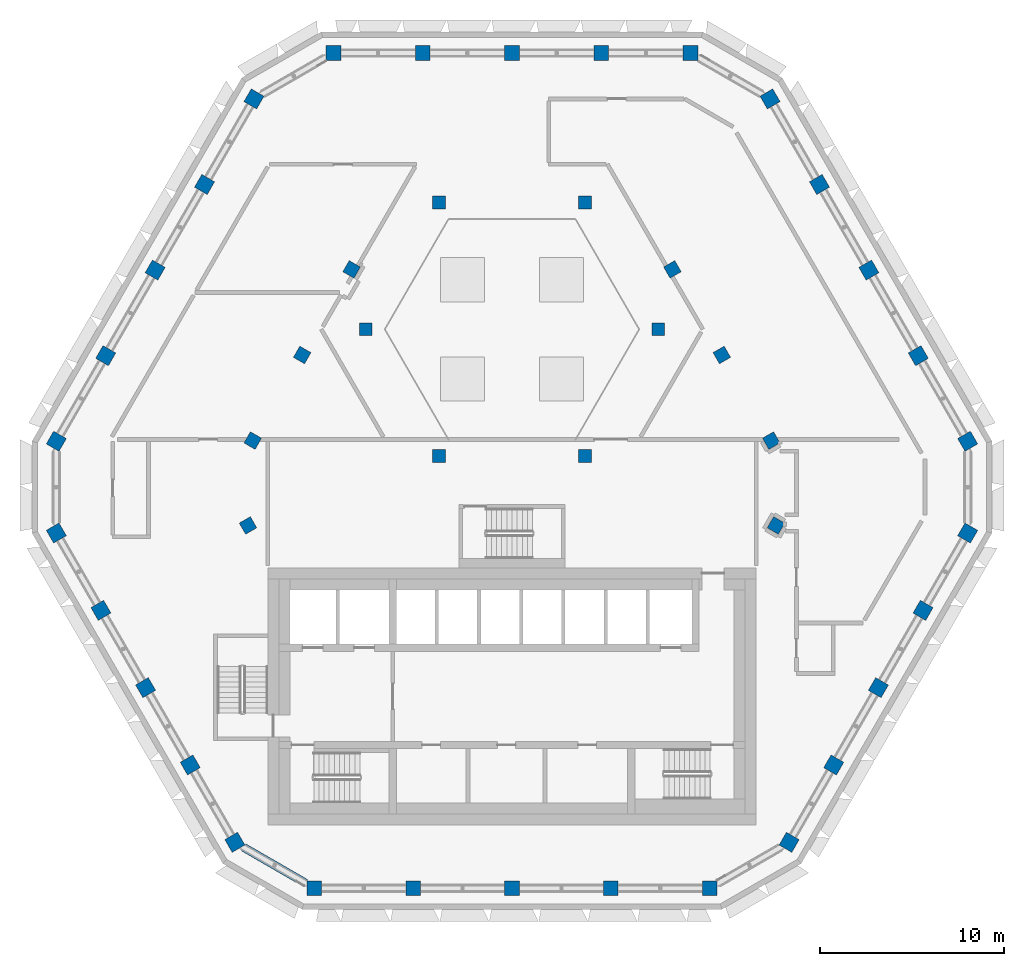
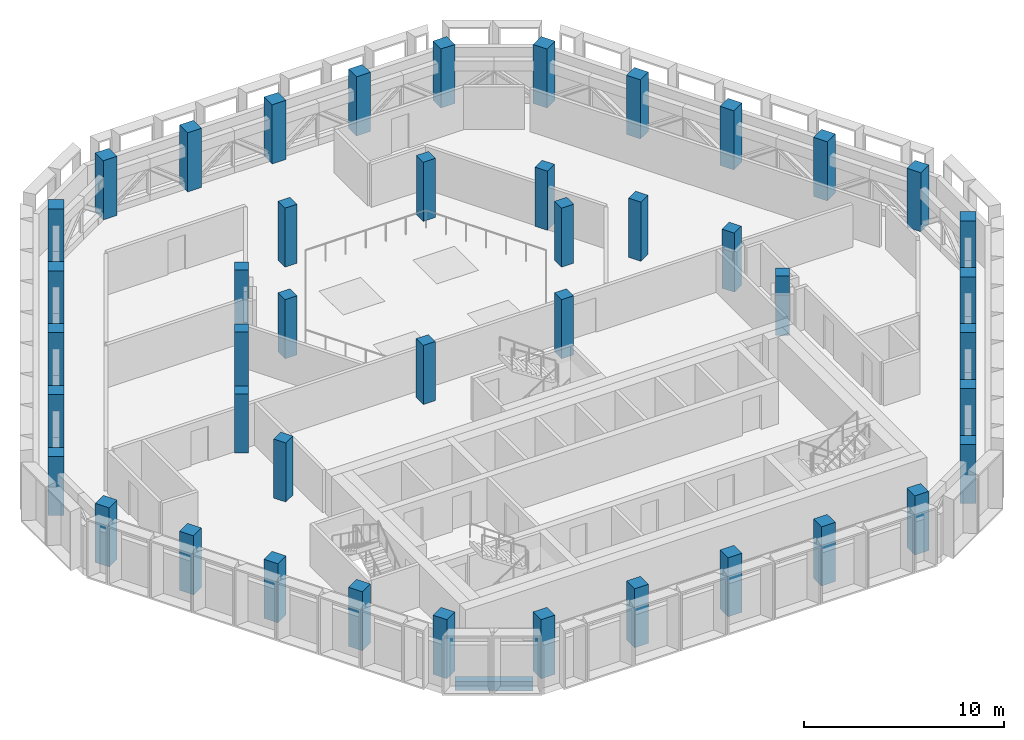
# One storey, part 1 of 24: 44 columns, 1 beam.
"""IFC4 building model written with IfcOpenShell, lengths in metres."""

from ifc_helpers import new_model, si_unit, direction, frame, origin, origin_2d, place, context, subcontext, project, spatial, rectangle, extrude, material, material_profile, profile_set, type_object, element, save


model = new_model("IFC4")

# Units and contexts
model_context = context("Model", 3, precision=1e-05, world=origin(), true_north=direction((0.0, 1.0)))
body_context = subcontext(model_context, "Body", "Model", "MODEL_VIEW")
ifc_project = project(units=[si_unit("LENGTHUNIT", "METRE"), si_unit("AREAUNIT", "SQUARE_METRE"), si_unit("VOLUMEUNIT", "CUBIC_METRE"), si_unit("PLANEANGLEUNIT", "RADIAN"), si_unit("MASSUNIT", "GRAM", prefix="KILO")], contexts=[model_context])

# Site, building, storey
site_placement = place(None, origin())
site = spatial("IfcSite", under=ifc_project, at=site_placement, CompositionType="ELEMENT")
building_placement = place(site_placement, origin())
building = spatial("IfcBuilding", under=site, at=building_placement, Name="Beryl Residences", CompositionType="ELEMENT")
storey_placement = place(building_placement, frame((0.0, 0.0, 199.199951171875)))
storey = spatial("IfcBuildingStorey", under=building, at=storey_placement, Name="L61", CompositionType="ELEMENT", Elevation=199.199951171875)

# Columns
ifc_material_1 = material(Name="Concrete C50/60", Category="concrete")
ifc_material_profile_1 = material_profile(ifc_material_1, rectangle(XDim=0.800048828125, YDim=0.800048828125, at=origin_2d()))
ifc_profile_set_1 = profile_set([ifc_material_profile_1], Name="Concrete C50/60")
column_type_1 = type_object("IfcColumnType", Name="C4 tube column 800 x 800 C50/60", PredefinedType="COLUMN", material=ifc_profile_set_1)
for number, where, z_axis, x_axis, name in (
    (1, (9.72802734375, 23.050048828125, 0.0), (0.0, 0.0, 1.0), (-1.0, 0.0, 0.0), "C4-N1 L61"),
    (2, (4.864013671875, 23.050048828125, 0.0), (0.0, 0.0, 1.0), (-1.0, 0.0, 0.0), "C4-N2 L61"),
    (3, (0.0, 23.050048828125, 0.0), (0.0, 0.0, 1.0), (-1.0, 0.0, 0.0), "C4-N3 L61"),
    (4, (-4.864013671875, 23.050048828125, 0.0), (0.0, 0.0, 1.0), (-1.0, 0.0, 0.0), "C4-N4 L61"),
    (5, (-9.72802734375, 23.050048828125, 0.0), (0.0, 0.0, 1.0), (-1.0, 0.0, 0.0), "C4-N5 L61"),
    (6, (-14.05810546875, 20.550048828125, 0.0), (0.0, 0.0, 1.0), (-0.5, -0.866025403784, 0.0), "C4-NW1 L61"),
    (7, (-16.75, 15.887939453125, 0.0), (0.0, 0.0, 1.0), (-0.5, -0.866025403784, 0.0), "C4-NW2 L61"),
    (8, (-19.44189453125, 11.22509765625, 0.0), (0.0, 0.0, 1.0), (-0.5, -0.866025403784, 0.0), "C4-NW3 L61"),
    (9, (-22.134033203125, 6.56201171875, 0.0), (0.0, 0.0, 1.0), (-0.5, -0.866025403784, 0.0), "C4-NW4 L61"),
    (10, (-24.825927734375, 1.89990234375, 0.0), (0.0, 0.0, 1.0), (-0.5, -0.866025403784, 0.0), "C4-NW5 L61"),
    (11, (-24.825927734375, -3.09912109375, 0.0), (0.0, 0.0, 1.0), (0.5, -0.866025403784, 0.0), "C4-SW1 L61"),
    (12, (-22.39404296875, -7.31201171875, 0.0), (0.0, 0.0, 1.0), (0.5, -0.866025403784, 0.0), "C4-SW2 L61"),
    (13, (-19.9619140625, -11.52392578125, 0.0), (0.0, 0.0, 1.0), (0.5, -0.866025403784, 0.0), "C4-SW3 L61"),
    (14, (-17.530029296875, -15.736083984375, 0.0), (0.0, 0.0, 1.0), (0.5, -0.866025403784, 0.0), "C4-SW4 L61"),
    (15, (-15.097900390625, -19.948974609375, 0.0), (0.0, 0.0, 1.0), (0.5, -0.866025403784, 0.0), "C4-SW5 L61"),
    (16, (-10.76708984375, -22.449951171875, 0.0), (0.0, 0.0, 1.0), (1.0, 0.0, 0.0), "C4-S1 L61"),
    (17, (-5.383056640625, -22.449951171875, 0.0), (0.0, 0.0, 1.0), (1.0, 0.0, 0.0), "C4-S2 L61"),
    (18, (0.0009765625, -22.449951171875, 0.0), (0.0, 0.0, 1.0), (1.0, 0.0, 0.0), "C4-S3 L61"),
    (19, (5.385009765625, -22.449951171875, 0.0), (0.0, 0.0, 1.0), (1.0, 0.0, 0.0), "C4-S4 L61"),
    (20, (10.76904296875, -22.449951171875, 0.0), (0.0, 0.0, 1.0), (1.0, 0.0, 0.0), "C4-S5 L61"),
    (21, (15.096923828125, -19.950927734375, 0.0), (0.0, 0.0, 1.0), (0.5, 0.866025403784, 0.0), "C4-SE1 L61"),
    (22, (17.529052734375, -15.738037109375, 0.0), (0.0, 0.0, 1.0), (0.5, 0.866025403784, 0.0), "C4-SE2 L61"),
    (23, (19.9609375, -11.52587890625, 0.0), (0.0, 0.0, 1.0), (0.5, 0.866025403784, 0.0), "C4-SE3 L61"),
    (24, (22.39306640625, -7.31396484375, 0.0), (0.0, 0.0, 1.0), (0.5, 0.866025403784, 0.0), "C4-SE4 L61"),
    (25, (24.824951171875, -3.10107421875, 0.0), (0.0, 0.0, 1.0), (0.5, 0.866025403784, 0.0), "C4-SE5 L61"),
    (26, (24.825927734375, 1.89990234375, 0.0), (0.0, 0.0, 1.0), (-0.5, 0.866025403784, 0.0), "C4-NE1 L61"),
    (27, (22.134033203125, 6.56201171875, 0.0), (0.0, 0.0, 1.0), (-0.5, 0.866025403784, 0.0), "C4-NE2 L61"),
    (28, (19.44189453125, 11.22509765625, 0.0), (0.0, 0.0, 1.0), (-0.5, 0.866025403784, 0.0), "C4-NE3 L61"),
    (29, (16.75, 15.887939453125, 0.0), (0.0, 0.0, 1.0), (-0.5, 0.866025403784, 0.0), "C4-NE4 L61"),
    (30, (14.05810546875, 20.550048828125, 0.0), (0.0, 0.0, 1.0), (-0.5, 0.866025403784, 0.0), "C4-NE5 L61"),
):
    element("IfcColumn", number, at=place(storey_placement, frame(where, z_axis=z_axis, x_axis=x_axis)), inside=storey, type_object=column_type_1, Name=name, PredefinedType="COLUMN", context=body_context, shape_type="SweptSolid", body=[
        extrude(rectangle(XDim=0.800048828125, YDim=0.800048828125, at=origin_2d()), origin(), (0.0, 0.0, 1.0), 3.60009765625),
    ])
ifc_material_2 = material(Name="Concrete C50/60", Category="concrete")
ifc_material_profile_2 = material_profile(ifc_material_2, rectangle(XDim=0.699951171875, YDim=0.699951171875, at=origin_2d()))
ifc_profile_set_2 = profile_set([ifc_material_profile_2], Name="Concrete C50/60")
column_type_2 = type_object("IfcColumnType", Name="IC4 interior column 700 x 700 C50/60", PredefinedType="COLUMN", material=ifc_profile_set_2)
for number, where, z_axis, x_axis, name in (
    (31, (-14.383056640625, -2.68701171875, 0.0), (0.0, 0.0, 1.0), (0.5, -0.866025403784, 0.0), "IC4-M01 L61"),
    (32, (14.382080078125, -2.68896484375, 0.0), (0.0, 0.0, 1.0), (0.5, 0.866025403784, 0.0), "IC4-M02 L61"),
    (33, (14.123046875, 1.93701171875, 0.0), (0.0, 0.0, 1.0), (-0.5, 0.866025403784, 0.0), "IC4-M03 L61"),
    (34, (3.98388671875, 1.10009765625, 0.0), (0.0, 0.0, 1.0), (1.0, 0.0, 0.0), "IC4-A04 L61"),
    (35, (11.430908203125, 6.60009765625, 0.0), (0.0, 0.0, 1.0), (-0.5, 0.866025403784, 0.0), "IC4-M05 L61"),
    (36, (7.967041015625, 8.0, 0.0), (0.0, 0.0, 1.0), (1.0, 0.0, 0.0), "IC4-A06 L61"),
    (37, (8.739013671875, 11.262939453125, 0.0), (0.0, 0.0, 1.0), (-0.5, 0.866025403784, 0.0), "IC4-M07 L61"),
    (38, (3.98388671875, 14.89990234375, 0.0), (0.0, 0.0, 1.0), (1.0, 0.0, 0.0), "IC4-A08 L61"),
    (39, (-3.98388671875, 14.89990234375, 0.0), (0.0, 0.0, 1.0), (1.0, 0.0, 0.0), "IC4-A09 L61"),
    (40, (-8.739013671875, 11.262939453125, 0.0), (0.0, 0.0, 1.0), (-0.5, -0.866025403784, 0.0), "IC4-M10 L61"),
    (41, (-7.967041015625, 8.0, 0.0), (0.0, 0.0, 1.0), (1.0, 0.0, 0.0), "IC4-A11 L61"),
    (42, (-11.430908203125, 6.60009765625, 0.0), (0.0, 0.0, 1.0), (-0.5, -0.866025403784, 0.0), "IC4-M12 L61"),
    (43, (-3.98388671875, 1.10009765625, 0.0), (0.0, 0.0, 1.0), (1.0, 0.0, 0.0), "IC4-A13 L61"),
    (44, (-14.123046875, 1.93701171875, 0.0), (0.0, 0.0, 1.0), (-0.5, -0.866025403784, 0.0), "IC4-M14 L61"),
):
    element("IfcColumn", number, at=place(storey_placement, frame(where, z_axis=z_axis, x_axis=x_axis)), inside=storey, type_object=column_type_2, Name=name, PredefinedType="COLUMN", context=body_context, shape_type="SweptSolid", body=[
        extrude(rectangle(XDim=0.699951171875, YDim=0.699951171875, at=origin_2d()), origin(), (0.0, 0.0, 1.0), 3.60009765625),
    ])

# Beam
ifc_material_3 = material(Name="Concrete C50/60", Category="concrete")
ifc_material_profile_3 = material_profile(ifc_material_3, rectangle(XDim=0.449951171875, YDim=0.550048828125, at=origin_2d()))
ifc_profile_set_3 = profile_set([ifc_material_profile_3], Name="Concrete C50/60")
beam_type = type_object("IfcBeamType", Name="SB4 spandrel beam 450 x 550 C50/60", PredefinedType="SPANDREL", material=ifc_profile_set_3)
beam_placement = place(storey_placement, frame((-14.625, -20.221923828125, -0.675048828125), z_axis=(0.865943218558, -0.500142321977, 0.0), x_axis=(0.500142321977, 0.865943218558, 0.0)))
element("IfcBeam", 45, at=beam_placement, inside=storey, type_object=beam_type, Name="SB4 L61 SW-4", PredefinedType="SPANDREL", context=body_context, shape_type="SweptSolid", body=[
    extrude(rectangle(XDim=0.449951171875, YDim=0.550048828125, at=origin_2d()), origin(), (0.0, 0.0, 1.0), 3.908935546875),
])

save(model, "model.ifc")
